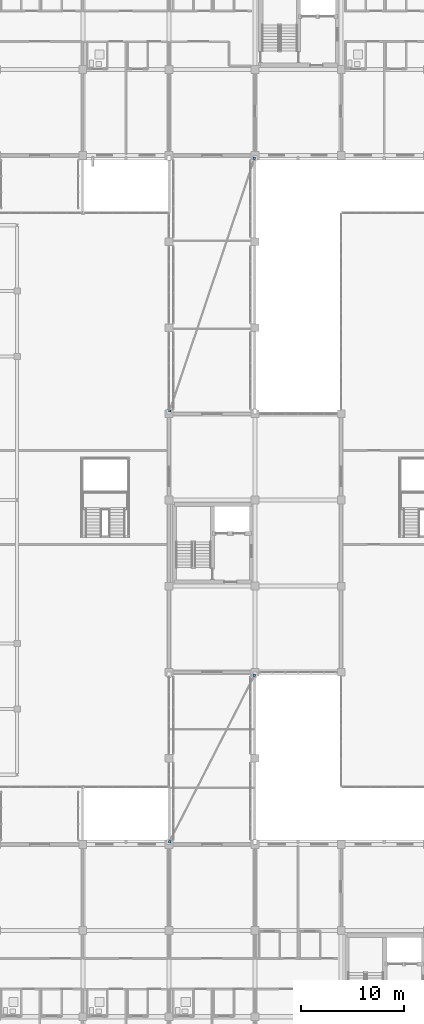
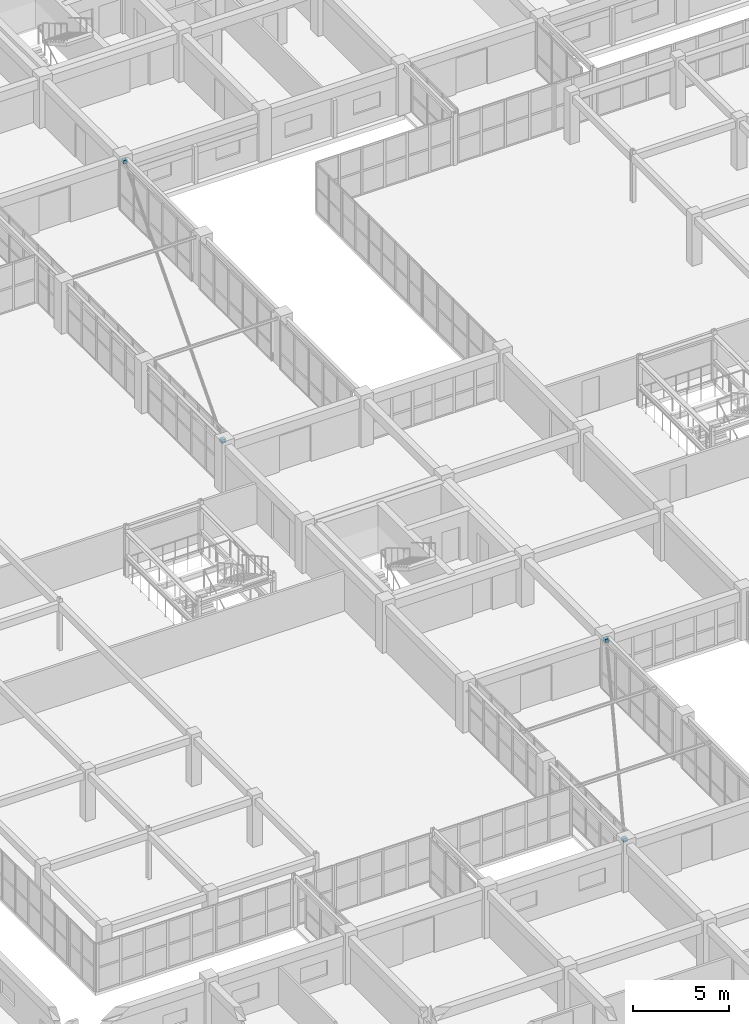
# One storey, part 187 of 200: 4 discrete accessories.
"""IFC4 building model written with IfcOpenShell, lengths in metres."""

from ifc_helpers import new_model, si_unit, direction, frame, origin, origin_2d, place, context, subcontext, project, spatial, rectangle, extrude, material, type_object, element, save


model = new_model("IFC4")

# Units and contexts
model_context = context("Model", 3, precision=1e-05, world=origin(), true_north=direction((0.0, 1.0)))
body_context = subcontext(model_context, "Body", "Model", "MODEL_VIEW")
ifc_project = project(units=[si_unit("LENGTHUNIT", "METRE"), si_unit("AREAUNIT", "SQUARE_METRE"), si_unit("VOLUMEUNIT", "CUBIC_METRE"), si_unit("PLANEANGLEUNIT", "RADIAN"), si_unit("MASSUNIT", "GRAM", prefix="KILO")], contexts=[model_context])

# Site, building, storey
site_placement = place(None, origin())
site = spatial("IfcSite", under=ifc_project, at=site_placement, CompositionType="ELEMENT")
building_placement = place(site_placement, origin())
building = spatial("IfcBuilding", under=site, at=building_placement, Name="Trelvath General Hospital", CompositionType="ELEMENT")
storey_placement = place(building_placement, frame((0.0, 0.0, 4.800048828125)))
storey = spatial("IfcBuildingStorey", under=building, at=storey_placement, Name="L01", CompositionType="ELEMENT", Elevation=4.800048828125)

# Discrete accessories
ifc_material = material(Name="Steel S355", Category="steel")
discrete_accessory_type = type_object("IfcDiscreteAccessoryType", Name="FacadeBracket S355", PredefinedType="BRACKET", material=ifc_material)
for number, where, z_axis, x_axis, name in (
    (1, (75.659912109375, 67.47998046875, 2.76513671875), (0.0, 0.0, 1.0), (1.0, 0.0, 0.0), "Bridge Brace Gusset Node BRG-N-C A L02"),
    (2, (83.93994140625, 92.1201171875, 2.76513671875), (0.0, 0.0, 1.0), (1.0, 0.0, 0.0), "Bridge Brace Gusset Node BRG-N-C B L02"),
    (3, (75.659912109375, 25.47998046875, 2.76513671875), (0.0, 0.0, 1.0), (1.0, 0.0, 0.0), "Bridge Brace Gusset Node BRG-S-C A L02"),
    (4, (83.93994140625, 41.719970703125, 2.76513671875), (0.0, 0.0, 1.0), (1.0, 0.0, 0.0), "Bridge Brace Gusset Node BRG-S-C B L02"),
):
    element("IfcDiscreteAccessory", number, at=place(storey_placement, frame(where, z_axis=z_axis, x_axis=x_axis)), inside=storey, type_object=discrete_accessory_type, Name=name, PredefinedType="BRACKET", context=body_context, shape_type="SweptSolid", body=[
        extrude(rectangle(XDim=0.239990234375, YDim=0.239990234375, at=origin_2d()), origin(), (0.0, 0.0, 1.0), 0.239990234375),
    ])

save(model, "model.ifc")
